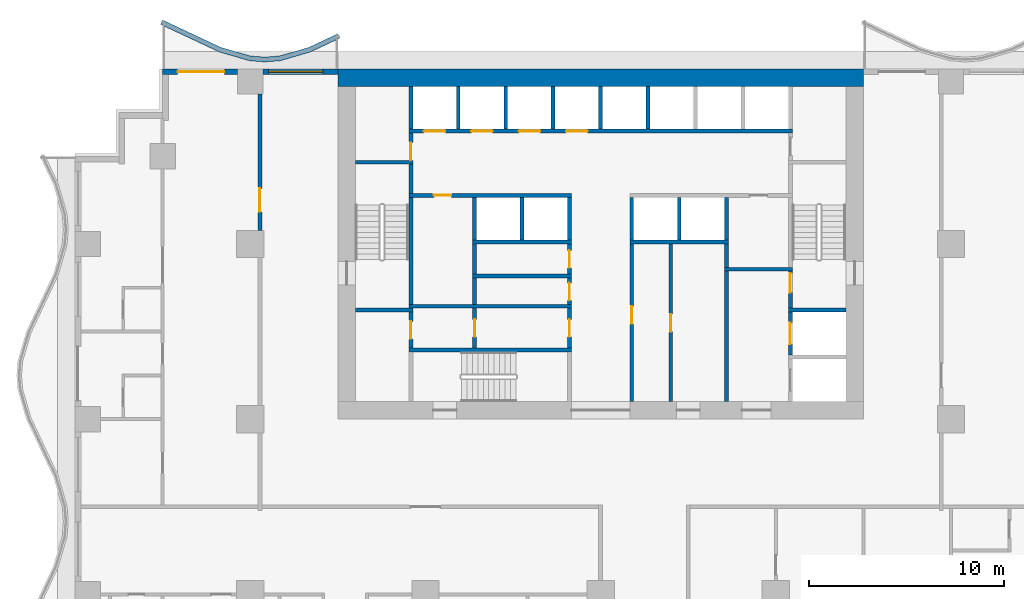
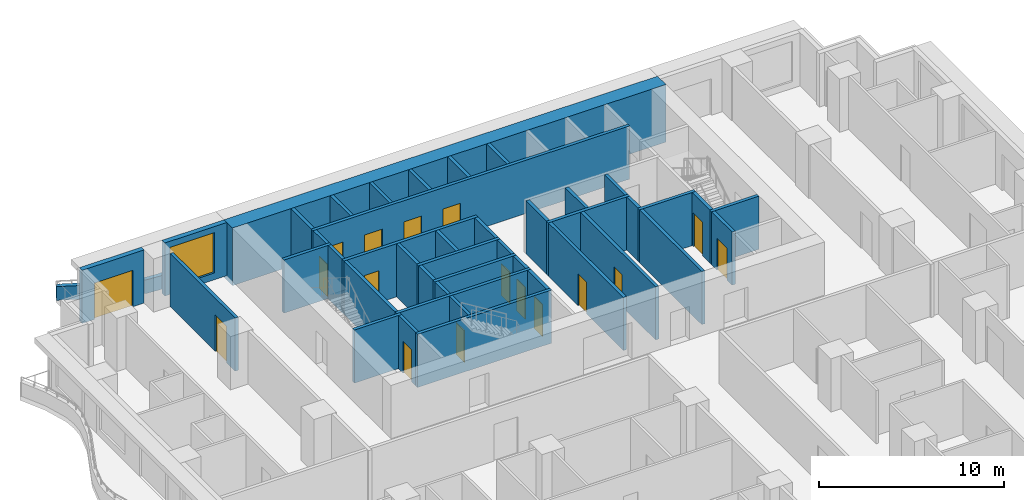
# One storey, part 5 of 13: 44 walls, 17 doors, 1 window, 18 openings.
"""IFC4 building model written with IfcOpenShell, lengths in metres."""

from ifc_helpers import new_model, si_unit, direction, frame, frame_2d, origin, place, context, subcontext, project, spatial, polyline, rectangle, outline, extrude, material, layer, layer_set, type_object, element, fill, save


model = new_model("IFC4")

# Units and contexts
model_context = context("Model", 3, precision=1e-05, world=origin(), true_north=direction((0.0, 1.0)))
body_context = subcontext(model_context, "Body", "Model", "MODEL_VIEW")
ifc_project = project(units=[si_unit("LENGTHUNIT", "METRE"), si_unit("AREAUNIT", "SQUARE_METRE"), si_unit("VOLUMEUNIT", "CUBIC_METRE"), si_unit("PLANEANGLEUNIT", "RADIAN"), si_unit("MASSUNIT", "GRAM", prefix="KILO")], contexts=[model_context])

# Site, building, storey
site_placement = place(None, origin())
site = spatial("IfcSite", under=ifc_project, at=site_placement, CompositionType="ELEMENT")
building_placement = place(site_placement, origin())
building = spatial("IfcBuilding", under=site, at=building_placement, Name="Orbiselva Terraces", CompositionType="ELEMENT")
storey_placement = place(building_placement, frame((0.0, 0.0, 92.2)))
storey = spatial("IfcBuildingStorey", under=building, at=storey_placement, Name="L23", CompositionType="ELEMENT", Elevation=92.2)

# Wall
ifc_material_1 = material(Name="Concrete C80/95", Category="concrete")
ifc_layer_1 = layer(ifc_material_1, 0.9)
ifc_layer_set_1 = layer_set([ifc_layer_1], Name="Concrete C80/95")
wall_type_1 = type_object("IfcWallType", Name="CORE WALL 900 EXTERNAL", PredefinedType="SHEAR", material=ifc_layer_set_1)
wall_1_placement = place(storey_placement, frame((13.5, 22.05, -0.3), z_axis=(0.0, 0.0, 1.0), x_axis=(-1.0, 0.0, 0.0)))
element("IfcWall", 1, at=wall_1_placement, inside=storey, type_object=wall_type_1, Name="Core wall L23 north", PredefinedType="SHEAR", context=body_context, shape_type="SweptSolid", body=[
    extrude(rectangle(XDim=27.0, YDim=0.9, at=frame_2d((13.5, 0.0))), origin(), (0.0, 0.0, 1.0), 3.8),
])

# Wall, opening, door
ifc_material_2 = material(Name="Masonry blockwork", Category="masonry")
ifc_layer_2 = layer(ifc_material_2, 0.2)
ifc_layer_set_2 = layer_set([ifc_layer_2], Name="Masonry blockwork")
wall_type_2 = type_object("IfcWallType", Name="CORE-WALL-PARTITION-200", PredefinedType="PARTITIONING", material=ifc_layer_set_2)
wall_2_placement = place(storey_placement, frame((-9.75, 8.15, 0.0), z_axis=(0.0, 0.0, 1.0), x_axis=(0.0, 1.0, 0.0)))
wall_2 = element("IfcWall", 2, at=wall_2_placement, inside=storey, type_object=wall_type_2, Name="L23 core wall 05", PredefinedType="PARTITIONING", context=body_context, shape_type="SweptSolid", body=[
    extrude(rectangle(XDim=1.85, YDim=0.2, at=frame_2d((0.925, 0.0))), origin(), (0.0, 0.0, 1.0), 3.5),
])
opening_1_placement = place(wall_2_placement, frame((0.475, 0.0, 0.0)))
opening_1 = element("IfcOpeningElement", 3, at=opening_1_placement, cuts=wall_2, Name="Opening DR900", PredefinedType="OPENING", context=body_context, shape_type="SweptSolid", body=[
    extrude(rectangle(XDim=0.9, YDim=2.1, at=frame_2d((0.45, 1.05))), frame((0.0, 0.11, 0.0), z_axis=(0.0, -1.0, 0.0), x_axis=(1.0, 0.0, 0.0)), (0.0, 0.0, 1.0), 0.22),
])
ifc_material_3 = material(Name="Steel fire door", Category="steel")
door_type_1 = type_object("IfcDoorType", Name="ROOM DOOR 900", OperationType="NOTDEFINED", PredefinedType="DOOR", material=ifc_material_3)
door_1_placement = place(opening_1_placement, origin())
door_1 = element("IfcDoor", 4, at=door_1_placement, inside=storey, type_object=door_type_1, Name="L23 ACCESSIBLE WC door", OperationType="SINGLE_SWING_RIGHT", OverallHeight=2.1, OverallWidth=0.9, PredefinedType="DOOR", context=body_context, shape_type="SweptSolid", body=[
    extrude(rectangle(XDim=0.9, YDim=2.1, at=frame_2d((0.45, 1.05))), frame((0.0, 0.025, 0.0), z_axis=(0.0, -1.0, 0.0), x_axis=(1.0, 0.0, 0.0)), (0.0, 0.0, 1.0), 0.05),
])
fill(opening_1, door_1)

wall_3_placement = place(storey_placement, frame((-9.75, 17.8, 0.0), z_axis=(0.0, 0.0, 1.0), x_axis=(0.0, 1.0, 0.0)))
wall_3 = element("IfcWall", 5, at=wall_3_placement, inside=storey, type_object=wall_type_2, Name="L23 core wall 10", PredefinedType="PARTITIONING", context=body_context, shape_type="SweptSolid", body=[
    extrude(rectangle(XDim=1.4, YDim=0.2, at=frame_2d((0.7, 0.0))), origin(), (0.0, 0.0, 1.0), 3.5),
])
opening_2_placement = place(wall_3_placement, origin())
opening_2 = element("IfcOpeningElement", 6, at=opening_2_placement, cuts=wall_3, Name="Opening DR900", PredefinedType="OPENING", context=body_context, shape_type="SweptSolid", body=[
    extrude(rectangle(XDim=0.9, YDim=2.1, at=frame_2d((0.45, 1.05))), frame((0.0, 0.11, 0.0), z_axis=(0.0, -1.0, 0.0), x_axis=(1.0, 0.0, 0.0)), (0.0, 0.0, 1.0), 0.22),
])
door_2_placement = place(opening_2_placement, origin())
door_2 = element("IfcDoor", 7, at=door_2_placement, inside=storey, type_object=door_type_1, Name="L23 COMMS RISER ROOM door", OperationType="SINGLE_SWING_LEFT", OverallHeight=2.1, OverallWidth=0.9, PredefinedType="DOOR", context=body_context, shape_type="SweptSolid", body=[
    extrude(rectangle(XDim=0.9, YDim=2.1, at=frame_2d((0.45, 1.05))), frame((0.0, 0.025, 0.0), z_axis=(0.0, -1.0, 0.0), x_axis=(1.0, 0.0, 0.0)), (0.0, 0.0, 1.0), 0.05),
])
fill(opening_2, door_2)

wall_4_placement = place(storey_placement, frame((-6.475, 8.15, 0.0), z_axis=(0.0, 0.0, 1.0), x_axis=(0.0, 1.0, 0.0)))
wall_4 = element("IfcWall", 8, at=wall_4_placement, inside=storey, type_object=wall_type_2, Name="L23 core wall 14", PredefinedType="PARTITIONING", context=body_context, shape_type="SweptSolid", body=[
    extrude(rectangle(XDim=2.05, YDim=0.2, at=frame_2d((1.025, 0.0))), origin(), (0.0, 0.0, 1.0), 3.5),
])
opening_3_placement = place(wall_4_placement, frame((0.575, 0.0, 0.0)))
opening_3 = element("IfcOpeningElement", 9, at=opening_3_placement, cuts=wall_4, Name="Opening DR900", PredefinedType="OPENING", context=body_context, shape_type="SweptSolid", body=[
    extrude(rectangle(XDim=0.9, YDim=2.1, at=frame_2d((0.45, 1.05))), frame((0.0, 0.11, 0.0), z_axis=(0.0, -1.0, 0.0), x_axis=(1.0, 0.0, 0.0)), (0.0, 0.0, 1.0), 0.22),
])
door_3_placement = place(opening_3_placement, origin())
door_3 = element("IfcDoor", 10, at=door_3_placement, inside=storey, type_object=door_type_1, Name="L23 CLEANERS STORE door", OperationType="SINGLE_SWING_RIGHT", OverallHeight=2.1, OverallWidth=0.9, PredefinedType="DOOR", context=body_context, shape_type="SweptSolid", body=[
    extrude(rectangle(XDim=0.9, YDim=2.1, at=frame_2d((0.45, 1.05))), frame((0.0, 0.025, 0.0), z_axis=(0.0, -1.0, 0.0), x_axis=(1.0, 0.0, 0.0)), (0.0, 0.0, 1.0), 0.05),
])
fill(opening_3, door_3)

# Walls
wall_5_placement = place(storey_placement, frame((-6.475, 10.4, 0.0), z_axis=(0.0, 0.0, 1.0), x_axis=(0.0, 1.0, 0.0)))
element("IfcWall", 11, at=wall_5_placement, inside=storey, type_object=wall_type_2, Name="L23 core wall 15", PredefinedType="PARTITIONING", context=body_context, shape_type="SweptSolid", body=[
    extrude(rectangle(XDim=1.35, YDim=0.2, at=frame_2d((0.675, 0.0))), origin(), (0.0, 0.0, 1.0), 3.5),
])
wall_6_placement = place(storey_placement, frame((-6.475, 11.95, 0.0), z_axis=(0.0, 0.0, 1.0), x_axis=(0.0, 1.0, 0.0)))
element("IfcWall", 12, at=wall_6_placement, inside=storey, type_object=wall_type_2, Name="L23 core wall 17", PredefinedType="PARTITIONING", context=body_context, shape_type="SweptSolid", body=[
    extrude(rectangle(XDim=1.55, YDim=0.2, at=frame_2d((0.775, 0.0))), origin(), (0.0, 0.0, 1.0), 3.5),
])

# Wall, opening, door
wall_7_placement = place(storey_placement, frame((-1.6, 8.15, 0.0), z_axis=(0.0, 0.0, 1.0), x_axis=(0.0, 1.0, 0.0)))
wall_7 = element("IfcWall", 13, at=wall_7_placement, inside=storey, type_object=wall_type_2, Name="L23 core wall 24", PredefinedType="PARTITIONING", context=body_context, shape_type="SweptSolid", body=[
    extrude(rectangle(XDim=2.05, YDim=0.2, at=frame_2d((1.025, 0.0))), origin(), (0.0, 0.0, 1.0), 3.5),
])
opening_4_placement = place(wall_7_placement, frame((0.575, 0.0, 0.0)))
opening_4 = element("IfcOpeningElement", 14, at=opening_4_placement, cuts=wall_7, Name="Opening DR900", PredefinedType="OPENING", context=body_context, shape_type="SweptSolid", body=[
    extrude(rectangle(XDim=0.9, YDim=2.1, at=frame_2d((0.45, 1.05))), frame((0.0, 0.11, 0.0), z_axis=(0.0, -1.0, 0.0), x_axis=(1.0, 0.0, 0.0)), (0.0, 0.0, 1.0), 0.22),
])
door_4_placement = place(opening_4_placement, origin())
door_4 = element("IfcDoor", 15, at=door_4_placement, inside=storey, type_object=door_type_1, Name="L23 COMMS ROOM door", OperationType="SINGLE_SWING_RIGHT", OverallHeight=2.1, OverallWidth=0.9, PredefinedType="DOOR", context=body_context, shape_type="SweptSolid", body=[
    extrude(rectangle(XDim=0.9, YDim=2.1, at=frame_2d((0.45, 1.05))), frame((0.0, 0.025, 0.0), z_axis=(0.0, -1.0, 0.0), x_axis=(1.0, 0.0, 0.0)), (0.0, 0.0, 1.0), 0.05),
])
fill(opening_4, door_4)

wall_8_placement = place(storey_placement, frame((-1.6, 10.4, 0.0), z_axis=(0.0, 0.0, 1.0), x_axis=(0.0, 1.0, 0.0)))
wall_8 = element("IfcWall", 16, at=wall_8_placement, inside=storey, type_object=wall_type_2, Name="L23 core wall 25", PredefinedType="PARTITIONING", context=body_context, shape_type="SweptSolid", body=[
    extrude(rectangle(XDim=1.35, YDim=0.2, at=frame_2d((0.675, 0.0))), origin(), (0.0, 0.0, 1.0), 3.5),
])
opening_5_placement = place(wall_8_placement, frame((0.2, 0.0, 0.0)))
opening_5 = element("IfcOpeningElement", 17, at=opening_5_placement, cuts=wall_8, Name="Opening DR900", PredefinedType="OPENING", context=body_context, shape_type="SweptSolid", body=[
    extrude(rectangle(XDim=0.9, YDim=2.1, at=frame_2d((0.45, 1.05))), frame((0.0, 0.11, 0.0), z_axis=(0.0, -1.0, 0.0), x_axis=(1.0, 0.0, 0.0)), (0.0, 0.0, 1.0), 0.22),
])
door_5_placement = place(opening_5_placement, origin())
door_5 = element("IfcDoor", 18, at=door_5_placement, inside=storey, type_object=door_type_1, Name="L23 BUILDING STORE door", OperationType="SINGLE_SWING_LEFT", OverallHeight=2.1, OverallWidth=0.9, PredefinedType="DOOR", context=body_context, shape_type="SweptSolid", body=[
    extrude(rectangle(XDim=0.9, YDim=2.1, at=frame_2d((0.45, 1.05))), frame((0.0, 0.025, 0.0), z_axis=(0.0, -1.0, 0.0), x_axis=(1.0, 0.0, 0.0)), (0.0, 0.0, 1.0), 0.05),
])
fill(opening_5, door_5)

wall_9_placement = place(storey_placement, frame((-1.6, 11.95, 0.0), z_axis=(0.0, 0.0, 1.0), x_axis=(0.0, 1.0, 0.0)))
wall_9 = element("IfcWall", 19, at=wall_9_placement, inside=storey, type_object=wall_type_2, Name="L23 core wall 26", PredefinedType="PARTITIONING", context=body_context, shape_type="SweptSolid", body=[
    extrude(rectangle(XDim=1.55, YDim=0.2, at=frame_2d((0.775, 0.0))), origin(), (0.0, 0.0, 1.0), 3.5),
])
opening_6_placement = place(wall_9_placement, frame((0.325, 0.0, 0.0)))
opening_6 = element("IfcOpeningElement", 20, at=opening_6_placement, cuts=wall_9, Name="Opening DR900", PredefinedType="OPENING", context=body_context, shape_type="SweptSolid", body=[
    extrude(rectangle(XDim=0.9, YDim=2.1, at=frame_2d((0.45, 1.05))), frame((0.0, 0.11, 0.0), z_axis=(0.0, -1.0, 0.0), x_axis=(1.0, 0.0, 0.0)), (0.0, 0.0, 1.0), 0.22),
])
door_6_placement = place(opening_6_placement, origin())
door_6 = element("IfcDoor", 21, at=door_6_placement, inside=storey, type_object=door_type_1, Name="L23 LINEN STORE door", OperationType="SINGLE_SWING_LEFT", OverallHeight=2.1, OverallWidth=0.9, PredefinedType="DOOR", context=body_context, shape_type="SweptSolid", body=[
    extrude(rectangle(XDim=0.9, YDim=2.1, at=frame_2d((0.45, 1.05))), frame((0.0, 0.025, 0.0), z_axis=(0.0, -1.0, 0.0), x_axis=(1.0, 0.0, 0.0)), (0.0, 0.0, 1.0), 0.05),
])
fill(opening_6, door_6)

wall_10_placement = place(storey_placement, frame((3.6, 13.5, 0.0), z_axis=(0.0, 0.0, 1.0), x_axis=(0.0, -1.0, 0.0)))
wall_10 = element("IfcWall", 22, at=wall_10_placement, inside=storey, type_object=wall_type_2, Name="L23 core wall 34", PredefinedType="PARTITIONING", context=body_context, shape_type="SweptSolid", body=[
    extrude(rectangle(XDim=8.1, YDim=0.2, at=frame_2d((4.05, 0.0))), origin(), (0.0, 0.0, 1.0), 3.5),
])
opening_7_placement = place(wall_10_placement, frame((3.6, 0.0, 0.0)))
opening_7 = element("IfcOpeningElement", 23, at=opening_7_placement, cuts=wall_10, Name="Opening DR900", PredefinedType="OPENING", context=body_context, shape_type="SweptSolid", body=[
    extrude(rectangle(XDim=0.9, YDim=2.1, at=frame_2d((0.45, 1.05))), frame((0.0, 0.11, 0.0), z_axis=(0.0, -1.0, 0.0), x_axis=(1.0, 0.0, 0.0)), (0.0, 0.0, 1.0), 0.22),
])
door_7_placement = place(opening_7_placement, origin())
door_7 = element("IfcDoor", 24, at=door_7_placement, inside=storey, type_object=door_type_1, Name="L23 SERVICE ROOM door", OperationType="SINGLE_SWING_RIGHT", OverallHeight=2.1, OverallWidth=0.9, PredefinedType="DOOR", context=body_context, shape_type="SweptSolid", body=[
    extrude(rectangle(XDim=0.9, YDim=2.1, at=frame_2d((0.45, 1.05))), frame((0.0, 0.025, 0.0), z_axis=(0.0, -1.0, 0.0), x_axis=(1.0, 0.0, 0.0)), (0.0, 0.0, 1.0), 0.05),
])
fill(opening_7, door_7)

# Walls
wall_11_placement = place(storey_placement, frame((6.475, 12.3, 0.0), z_axis=(0.0, 0.0, 1.0), x_axis=(0.0, 1.0, 0.0)))
element("IfcWall", 25, at=wall_11_placement, inside=storey, type_object=wall_type_2, Name="L23 core wall 39", PredefinedType="PARTITIONING", context=body_context, shape_type="SweptSolid", body=[
    extrude(rectangle(XDim=1.2, YDim=0.2, at=frame_2d((0.6, 0.0))), origin(), (0.0, 0.0, 1.0), 3.5),
])
ifc_material_4 = material(Name="Concrete C40/50", Category="concrete")
ifc_layer_3 = layer(ifc_material_4, 0.2)
ifc_layer_set_3 = layer_set([ifc_layer_3], Name="Concrete C40/50")
wall_type_3 = type_object("IfcWallType", Name="CORE-WALL-SHAFT-200", PredefinedType="PARTITIONING", material=ifc_layer_set_3)
for number, where, z_axis, x_axis, name in (
    (26, (-9.75, 19.4, 0.0), (0.0, 0.0, 1.0), (0.0, 1.0, 0.0), "L23 core wall 12"),
    (27, (-7.3125, 19.4, 0.0), (0.0, 0.0, 1.0), (0.0, 1.0, 0.0), "L23 core wall 13"),
    (28, (-6.475, 13.7, 0.0), (0.0, 0.0, 1.0), (0.0, 1.0, 0.0), "L23 core wall 19"),
    (29, (-4.875, 19.4, 0.0), (0.0, 0.0, 1.0), (0.0, 1.0, 0.0), "L23 core wall 20"),
    (30, (-4.0375, 13.7, 0.0), (0.0, 0.0, 1.0), (0.0, 1.0, 0.0), "L23 core wall 21"),
    (31, (-2.4375, 19.4, 0.0), (0.0, 0.0, 1.0), (0.0, 1.0, 0.0), "L23 core wall 22"),
    (32, (-1.6, 13.7, 0.0), (0.0, 0.0, 1.0), (0.0, 1.0, 0.0), "L23 core wall 27"),
    (33, (0.0, 19.4, 0.0), (0.0, 0.0, 1.0), (0.0, 1.0, 0.0), "L23 core wall 28"),
    (34, (1.6, 13.7, 0.0), (0.0, 0.0, 1.0), (0.0, 1.0, 0.0), "L23 core wall 31"),
    (35, (2.4375, 19.4, 0.0), (0.0, 0.0, 1.0), (0.0, 1.0, 0.0), "L23 core wall 33"),
    (36, (4.0375, 13.7, 0.0), (0.0, 0.0, 1.0), (0.0, 1.0, 0.0), "L23 core wall 35"),
    (37, (6.475, 13.7, 0.0), (0.0, 0.0, 1.0), (0.0, 1.0, 0.0), "L23 core wall 40"),
):
    element("IfcWall", number, at=place(storey_placement, frame(where, z_axis=z_axis, x_axis=x_axis)), inside=storey, type_object=wall_type_3, Name=name, PredefinedType="PARTITIONING", context=body_context, shape_type="SweptSolid", body=[
        extrude(rectangle(XDim=2.2, YDim=0.2, at=frame_2d((1.1, 0.0))), origin(), (0.0, 0.0, 1.0), 3.5),
    ])
ifc_material_5 = material(Name="Concrete C60/75", Category="concrete")
ifc_layer_4 = layer(ifc_material_5, 0.2)
ifc_layer_set_4 = layer_set([ifc_layer_4], Name="Concrete C60/75")
wall_type_4 = type_object("IfcWallType", Name="CORE-WALL-SHEAR-200", PredefinedType="SHEAR", material=ifc_layer_set_4)
for number, where, z_axis, x_axis, name in (
    (38, (-12.6, 10.1, 0.0), (0.0, 0.0, 1.0), (1.0, 0.0, 0.0), "L23 core wall 01"),
    (39, (-12.6, 17.7, 0.0), (0.0, 0.0, 1.0), (1.0, 0.0, 0.0), "L23 core wall 02"),
):
    element("IfcWall", number, at=place(storey_placement, frame(where, z_axis=z_axis, x_axis=x_axis)), inside=storey, type_object=wall_type_4, Name=name, PredefinedType="SHEAR", context=body_context, shape_type="SweptSolid", body=[
        extrude(rectangle(XDim=2.95, YDim=0.2, at=frame_2d((1.475, 0.0))), origin(), (0.0, 0.0, 1.0), 3.5),
    ])
for number, where, z_axis, x_axis, name in (
    (40, (-9.85, 8.05, 0.0), (0.0, 0.0, 1.0), (1.0, 0.0, 0.0), "L23 core wall 04"),
    (41, (-9.85, 10.3, 0.0), (0.0, 0.0, 1.0), (1.0, 0.0, 0.0), "L23 core wall 06"),
):
    element("IfcWall", number, at=place(storey_placement, frame(where, z_axis=z_axis, x_axis=x_axis)), inside=storey, type_object=wall_type_4, Name=name, PredefinedType="SHEAR", context=body_context, shape_type="SweptSolid", body=[
        extrude(rectangle(XDim=8.35, YDim=0.2, at=frame_2d((4.175, 0.0))), origin(), (0.0, 0.0, 1.0), 3.5),
    ])
wall_12_placement = place(storey_placement, frame((-9.75, 10.4, 0.0), z_axis=(0.0, 0.0, 1.0), x_axis=(0.0, 1.0, 0.0)))
element("IfcWall", 42, at=wall_12_placement, inside=storey, type_object=wall_type_4, Name="L23 core wall 07", PredefinedType="SHEAR", context=body_context, shape_type="SweptSolid", body=[
    extrude(rectangle(XDim=5.5, YDim=0.2, at=frame_2d((2.75, 0.0))), origin(), (0.0, 0.0, 1.0), 3.5),
])

# Wall, opening, door
wall_13_placement = place(storey_placement, frame((-1.5, 16.0, 0.0), z_axis=(0.0, 0.0, 1.0), x_axis=(-1.0, 0.0, 0.0)))
wall_13 = element("IfcWall", 43, at=wall_13_placement, inside=storey, type_object=wall_type_4, Name="L23 core wall 08", PredefinedType="SHEAR", context=body_context, shape_type="SweptSolid", body=[
    extrude(rectangle(XDim=8.35, YDim=0.2, at=frame_2d((4.175, 0.0))), origin(), (0.0, 0.0, 1.0), 3.5),
])
opening_8_placement = place(wall_13_placement, frame((6.1625, 0.0, 0.0)))
opening_8 = element("IfcOpeningElement", 44, at=opening_8_placement, cuts=wall_13, Name="Opening DR900", PredefinedType="OPENING", context=body_context, shape_type="SweptSolid", body=[
    extrude(rectangle(XDim=0.9, YDim=2.1, at=frame_2d((0.45, 1.05))), frame((0.0, 0.11, 0.0), z_axis=(0.0, -1.0, 0.0), x_axis=(1.0, 0.0, 0.0)), (0.0, 0.0, 1.0), 0.22),
])
door_8_placement = place(opening_8_placement, origin())
door_8 = element("IfcDoor", 45, at=door_8_placement, inside=storey, type_object=door_type_1, Name="L23 GUEST PANTRY door", OperationType="SINGLE_SWING_RIGHT", OverallHeight=2.1, OverallWidth=0.9, PredefinedType="DOOR", context=body_context, shape_type="SweptSolid", body=[
    extrude(rectangle(XDim=0.9, YDim=2.1, at=frame_2d((0.45, 1.05))), frame((0.0, 0.025, 0.0), z_axis=(0.0, -1.0, 0.0), x_axis=(1.0, 0.0, 0.0)), (0.0, 0.0, 1.0), 0.05),
])
fill(opening_8, door_8)

# Wall
wall_14_placement = place(storey_placement, frame((-9.75, 16.1, 0.0), z_axis=(0.0, 0.0, 1.0), x_axis=(0.0, 1.0, 0.0)))
element("IfcWall", 46, at=wall_14_placement, inside=storey, type_object=wall_type_4, Name="L23 core wall 09", PredefinedType="SHEAR", context=body_context, shape_type="SweptSolid", body=[
    extrude(rectangle(XDim=1.5, YDim=0.2, at=frame_2d((0.75, 0.0))), origin(), (0.0, 0.0, 1.0), 3.5),
])

# Wall, openings, doors
wall_15_placement = place(storey_placement, frame((-9.85, 19.3, 0.0), z_axis=(0.0, 0.0, 1.0), x_axis=(1.0, 0.0, 0.0)))
wall_15 = element("IfcWall", 47, at=wall_15_placement, inside=storey, type_object=wall_type_4, Name="L23 core wall 11", PredefinedType="SHEAR", context=body_context, shape_type="SweptSolid", body=[
    extrude(rectangle(XDim=19.7, YDim=0.2, at=frame_2d((9.85, 0.0))), origin(), (0.0, 0.0, 1.0), 3.5),
])
opening_9_placement = place(wall_15_placement, frame((0.76875, 0.0, 0.0)))
opening_9 = element("IfcOpeningElement", 48, at=opening_9_placement, cuts=wall_15, Name="Opening LD-LR1", PredefinedType="OPENING", context=body_context, shape_type="SweptSolid", body=[
    extrude(rectangle(XDim=1.1, YDim=2.1, at=frame_2d((0.55, 1.05))), frame((0.0, 0.11, 0.0), z_axis=(0.0, -1.0, 0.0), x_axis=(1.0, 0.0, 0.0)), (0.0, 0.0, 1.0), 0.22),
])
opening_10_placement = place(wall_15_placement, frame((3.20625, 0.0, 0.0)))
opening_10 = element("IfcOpeningElement", 49, at=opening_10_placement, cuts=wall_15, Name="Opening LD-LR2", PredefinedType="OPENING", context=body_context, shape_type="SweptSolid", body=[
    extrude(rectangle(XDim=1.1, YDim=2.1, at=frame_2d((0.55, 1.05))), frame((0.0, 0.11, 0.0), z_axis=(0.0, -1.0, 0.0), x_axis=(1.0, 0.0, 0.0)), (0.0, 0.0, 1.0), 0.22),
])
opening_11_placement = place(wall_15_placement, frame((5.64375, 0.0, 0.0)))
opening_11 = element("IfcOpeningElement", 50, at=opening_11_placement, cuts=wall_15, Name="Opening LD-LR3", PredefinedType="OPENING", context=body_context, shape_type="SweptSolid", body=[
    extrude(rectangle(XDim=1.1, YDim=2.1, at=frame_2d((0.55, 1.05))), frame((0.0, 0.11, 0.0), z_axis=(0.0, -1.0, 0.0), x_axis=(1.0, 0.0, 0.0)), (0.0, 0.0, 1.0), 0.22),
])
opening_12_placement = place(wall_15_placement, frame((8.08125, 0.0, 0.0)))
opening_12 = element("IfcOpeningElement", 51, at=opening_12_placement, cuts=wall_15, Name="Opening LD-LR4", PredefinedType="OPENING", context=body_context, shape_type="SweptSolid", body=[
    extrude(rectangle(XDim=1.1, YDim=2.1, at=frame_2d((0.55, 1.05))), frame((0.0, 0.11, 0.0), z_axis=(0.0, -1.0, 0.0), x_axis=(1.0, 0.0, 0.0)), (0.0, 0.0, 1.0), 0.22),
])
ifc_material_6 = material(Name="Stainless steel landing door", Category="steel")
door_type_2 = type_object("IfcDoorType", Name="LANDING DOOR 1100", OperationType="SLIDING_TO_LEFT", PredefinedType="DOOR", material=ifc_material_6)
door_9_placement = place(opening_9_placement, origin())
door_9 = element("IfcDoor", 52, at=door_9_placement, inside=storey, type_object=door_type_2, Name="L23 landing door LR1", OperationType="SLIDING_TO_LEFT", OverallHeight=2.1, OverallWidth=1.1, PredefinedType="DOOR", context=body_context, shape_type="SweptSolid", body=[
    extrude(rectangle(XDim=1.1, YDim=2.1, at=frame_2d((0.55, 1.05))), frame((0.0, 0.025, 0.0), z_axis=(0.0, -1.0, 0.0), x_axis=(1.0, 0.0, 0.0)), (0.0, 0.0, 1.0), 0.05),
])
fill(opening_9, door_9)
door_10_placement = place(opening_10_placement, origin())
door_10 = element("IfcDoor", 53, at=door_10_placement, inside=storey, type_object=door_type_2, Name="L23 landing door LR2", OperationType="SLIDING_TO_LEFT", OverallHeight=2.1, OverallWidth=1.1, PredefinedType="DOOR", context=body_context, shape_type="SweptSolid", body=[
    extrude(rectangle(XDim=1.1, YDim=2.1, at=frame_2d((0.55, 1.05))), frame((0.0, 0.025, 0.0), z_axis=(0.0, -1.0, 0.0), x_axis=(1.0, 0.0, 0.0)), (0.0, 0.0, 1.0), 0.05),
])
fill(opening_10, door_10)
door_11_placement = place(opening_11_placement, origin())
door_11 = element("IfcDoor", 54, at=door_11_placement, inside=storey, type_object=door_type_2, Name="L23 landing door LR3", OperationType="SLIDING_TO_LEFT", OverallHeight=2.1, OverallWidth=1.1, PredefinedType="DOOR", context=body_context, shape_type="SweptSolid", body=[
    extrude(rectangle(XDim=1.1, YDim=2.1, at=frame_2d((0.55, 1.05))), frame((0.0, 0.025, 0.0), z_axis=(0.0, -1.0, 0.0), x_axis=(1.0, 0.0, 0.0)), (0.0, 0.0, 1.0), 0.05),
])
fill(opening_11, door_11)
door_12_placement = place(opening_12_placement, origin())
door_12 = element("IfcDoor", 55, at=door_12_placement, inside=storey, type_object=door_type_2, Name="L23 landing door LR4", OperationType="SLIDING_TO_LEFT", OverallHeight=2.1, OverallWidth=1.1, PredefinedType="DOOR", context=body_context, shape_type="SweptSolid", body=[
    extrude(rectangle(XDim=1.1, YDim=2.1, at=frame_2d((0.55, 1.05))), frame((0.0, 0.025, 0.0), z_axis=(0.0, -1.0, 0.0), x_axis=(1.0, 0.0, 0.0)), (0.0, 0.0, 1.0), 0.05),
])
fill(opening_12, door_12)

# Walls
for number, where, z_axis, x_axis, name in (
    (56, (-6.575, 11.85, 0.0), (0.0, 0.0, 1.0), (1.0, 0.0, 0.0), "L23 core wall 16"),
    (57, (-6.575, 13.6, 0.0), (0.0, 0.0, 1.0), (1.0, 0.0, 0.0), "L23 core wall 18"),
):
    element("IfcWall", number, at=place(storey_placement, frame(where, z_axis=z_axis, x_axis=x_axis)), inside=storey, type_object=wall_type_4, Name=name, PredefinedType="SHEAR", context=body_context, shape_type="SweptSolid", body=[
        extrude(rectangle(XDim=5.075, YDim=0.2, at=frame_2d((2.5375, 0.0))), origin(), (0.0, 0.0, 1.0), 3.5),
    ])

# Wall, opening, door
wall_16_placement = place(storey_placement, frame((1.6, 13.5, 0.0), z_axis=(0.0, 0.0, 1.0), x_axis=(0.0, -1.0, 0.0)))
wall_16 = element("IfcWall", 58, at=wall_16_placement, inside=storey, type_object=wall_type_4, Name="L23 core wall 29", PredefinedType="SHEAR", context=body_context, shape_type="SweptSolid", body=[
    extrude(rectangle(XDim=8.1, YDim=0.2, at=frame_2d((4.05, 0.0))), origin(), (0.0, 0.0, 1.0), 3.5),
])
opening_13_placement = place(wall_16_placement, frame((3.2, 0.0, 0.0)))
opening_13 = element("IfcOpeningElement", 59, at=opening_13_placement, cuts=wall_16, Name="Opening DR900", PredefinedType="OPENING", context=body_context, shape_type="SweptSolid", body=[
    extrude(rectangle(XDim=0.9, YDim=2.1, at=frame_2d((0.45, 1.05))), frame((0.0, 0.11, 0.0), z_axis=(0.0, -1.0, 0.0), x_axis=(1.0, 0.0, 0.0)), (0.0, 0.0, 1.0), 0.22),
])
door_13_placement = place(opening_13_placement, origin())
door_13 = element("IfcDoor", 60, at=door_13_placement, inside=storey, type_object=door_type_1, Name="L23 COMMS ROOM door", OperationType="SINGLE_SWING_LEFT", OverallHeight=2.1, OverallWidth=0.9, PredefinedType="DOOR", context=body_context, shape_type="SweptSolid", body=[
    extrude(rectangle(XDim=0.9, YDim=2.1, at=frame_2d((0.45, 1.05))), frame((0.0, 0.025, 0.0), z_axis=(0.0, -1.0, 0.0), x_axis=(1.0, 0.0, 0.0)), (0.0, 0.0, 1.0), 0.05),
])
fill(opening_13, door_13)

# Walls
wall_17_placement = place(storey_placement, frame((1.5, 13.6, 0.0), z_axis=(0.0, 0.0, 1.0), x_axis=(1.0, 0.0, 0.0)))
element("IfcWall", 61, at=wall_17_placement, inside=storey, type_object=wall_type_4, Name="L23 core wall 30", PredefinedType="SHEAR", context=body_context, shape_type="SweptSolid", body=[
    extrude(rectangle(XDim=5.075, YDim=0.2, at=frame_2d((2.5375, 0.0))), origin(), (0.0, 0.0, 1.0), 3.5),
])
wall_18_placement = place(storey_placement, frame((6.475, 5.4, 0.0), z_axis=(0.0, 0.0, 1.0), x_axis=(0.0, 1.0, 0.0)))
element("IfcWall", 62, at=wall_18_placement, inside=storey, type_object=wall_type_4, Name="L23 core wall 37", PredefinedType="SHEAR", context=body_context, shape_type="SweptSolid", body=[
    extrude(rectangle(XDim=6.7, YDim=0.2, at=frame_2d((3.35, 0.0))), origin(), (0.0, 0.0, 1.0), 3.5),
])
wall_19_placement = place(storey_placement, frame((6.375, 12.2, 0.0), z_axis=(0.0, 0.0, 1.0), x_axis=(1.0, 0.0, 0.0)))
element("IfcWall", 63, at=wall_19_placement, inside=storey, type_object=wall_type_4, Name="L23 core wall 38", PredefinedType="SHEAR", context=body_context, shape_type="SweptSolid", body=[
    extrude(rectangle(XDim=3.475, YDim=0.2, at=frame_2d((1.7375, 0.0))), origin(), (0.0, 0.0, 1.0), 3.5),
])

# Wall, opening, door
wall_20_placement = place(storey_placement, frame((9.75, 7.8, 0.0), z_axis=(0.0, 0.0, 1.0), x_axis=(0.0, 1.0, 0.0)))
wall_20 = element("IfcWall", 64, at=wall_20_placement, inside=storey, type_object=wall_type_4, Name="L23 core wall 44", PredefinedType="SHEAR", context=body_context, shape_type="SweptSolid", body=[
    extrude(rectangle(XDim=2.2, YDim=0.2, at=frame_2d((1.1, 0.0))), origin(), (0.0, 0.0, 1.0), 3.5),
])
opening_14_placement = place(wall_20_placement, frame((0.55, 0.0, 0.0)))
opening_14 = element("IfcOpeningElement", 65, at=opening_14_placement, cuts=wall_20, Name="Opening LD-FF2", PredefinedType="OPENING", context=body_context, shape_type="SweptSolid", body=[
    extrude(rectangle(XDim=1.1, YDim=2.1, at=frame_2d((0.55, 1.05))), frame((0.0, 0.11, 0.0), z_axis=(0.0, -1.0, 0.0), x_axis=(1.0, 0.0, 0.0)), (0.0, 0.0, 1.0), 0.22),
])
door_14_placement = place(opening_14_placement, origin())
door_14 = element("IfcDoor", 66, at=door_14_placement, inside=storey, type_object=door_type_2, Name="L23 landing door FF2", OperationType="SLIDING_TO_RIGHT", OverallHeight=2.1, OverallWidth=1.1, PredefinedType="DOOR", context=body_context, shape_type="SweptSolid", body=[
    extrude(rectangle(XDim=1.1, YDim=2.1, at=frame_2d((0.55, 1.05))), frame((0.0, 0.025, 0.0), z_axis=(0.0, -1.0, 0.0), x_axis=(1.0, 0.0, 0.0)), (0.0, 0.0, 1.0), 0.05),
])
fill(opening_14, door_14)

# Wall
wall_21_placement = place(storey_placement, frame((9.65, 10.1, 0.0), z_axis=(0.0, 0.0, 1.0), x_axis=(1.0, 0.0, 0.0)))
element("IfcWall", 67, at=wall_21_placement, inside=storey, type_object=wall_type_4, Name="L23 core wall 45", PredefinedType="SHEAR", context=body_context, shape_type="SweptSolid", body=[
    extrude(rectangle(XDim=2.95, YDim=0.2, at=frame_2d((1.475, 0.0))), origin(), (0.0, 0.0, 1.0), 3.5),
])

# Wall, opening, door
wall_22_placement = place(storey_placement, frame((9.75, 12.1, 0.0), z_axis=(0.0, 0.0, 1.0), x_axis=(0.0, -1.0, 0.0)))
wall_22 = element("IfcWall", 68, at=wall_22_placement, inside=storey, type_object=wall_type_4, Name="L23 core wall 46", PredefinedType="SHEAR", context=body_context, shape_type="SweptSolid", body=[
    extrude(rectangle(XDim=1.9, YDim=0.2, at=frame_2d((0.95, 0.0))), origin(), (0.0, 0.0, 1.0), 3.5),
])
opening_15_placement = place(wall_22_placement, frame((0.1, 0.0, 0.0)))
opening_15 = element("IfcOpeningElement", 69, at=opening_15_placement, cuts=wall_22, Name="Opening DS1000", PredefinedType="OPENING", context=body_context, shape_type="SweptSolid", body=[
    extrude(rectangle(XDim=1.0, YDim=2.2, at=frame_2d((0.5, 1.1))), frame((0.0, 0.11, 0.0), z_axis=(0.0, -1.0, 0.0), x_axis=(1.0, 0.0, 0.0)), (0.0, 0.0, 1.0), 0.22),
])
door_type_3 = type_object("IfcDoorType", Name="STAIR DOOR 1000", OperationType="NOTDEFINED", PredefinedType="DOOR", material=ifc_material_3)
door_15_placement = place(opening_15_placement, origin())
door_15 = element("IfcDoor", 70, at=door_15_placement, inside=storey, type_object=door_type_3, Name="L23 FIRE-FIGHTING LOBBY TO EXIT STAIR S2 door", OperationType="SINGLE_SWING_LEFT", OverallHeight=2.2, OverallWidth=1.0, PredefinedType="DOOR", context=body_context, shape_type="SweptSolid", body=[
    extrude(rectangle(XDim=1.0, YDim=2.2, at=frame_2d((0.5, 1.1))), frame((0.0, 0.025, 0.0), z_axis=(0.0, -1.0, 0.0), x_axis=(1.0, 0.0, 0.0)), (0.0, 0.0, 1.0), 0.05),
])
fill(opening_15, door_15)

# Wall
ifc_layer_5 = layer(ifc_material_4, 0.25)
ifc_layer_set_5 = layer_set([ifc_layer_5], Name="Concrete C40/50")
wall_type_5 = type_object("IfcWallType", Name="ENV-PLANTER-250x900", PredefinedType="USERDEFINED", material=ifc_layer_set_5)
wall_23_placement = place(storey_placement, origin())
element("IfcWall", 71, at=wall_23_placement, inside=storey, type_object=wall_type_5, Name="Balcony planter L23 NW", ObjectType="PLANTER", PredefinedType="USERDEFINED", context=body_context, shape_type="SweptSolid", body=[
    extrude(outline(polyline([(-13.5, 24.3), (-15.0, 23.594658), (-16.5, 23.158732), (-17.25, 23.1), (-18.0, 23.158732), (-19.5, 23.594658), (-21.0, 24.3), (-22.5, 25.005342), (-22.606383, 24.779106), (-21.106383, 24.073764), (-19.588618, 23.360069), (-18.045114, 22.911499), (-17.25, 22.849235), (-16.454886, 22.911499), (-14.911382, 23.360069), (-13.393617, 24.073764), (-13.5, 24.3)])), origin(), (0.0, 0.0, 1.0), 0.9),
])

# Wall, opening, window
ifc_material_7 = material(Name="Terracotta cladding on masonry backing", Category="masonry")
ifc_layer_6 = layer(ifc_material_7, 0.3)
ifc_layer_set_6 = layer_set([ifc_layer_6], Name="Terracotta cladding on masonry backing")
wall_type_6 = type_object("IfcWallType", Name="ENV-WALL-TERRACOTTA-300", PredefinedType="SOLIDWALL", material=ifc_layer_set_6)
wall_24_placement = place(storey_placement, frame((-17.35, 22.35, 0.0), z_axis=(0.0, 0.0, 1.0), x_axis=(1.0, 0.0, 0.0)))
wall_24 = element("IfcWall", 72, at=wall_24_placement, inside=storey, type_object=wall_type_6, Name="Facade wall L23 NW", PredefinedType="SOLIDWALL", context=body_context, shape_type="SweptSolid", body=[
    extrude(rectangle(XDim=3.85, YDim=0.3, at=frame_2d((1.925, 0.0))), origin(), (0.0, 0.0, 1.0), 3.5),
])
opening_16_placement = place(wall_24_placement, frame((0.3, 0.0, 0.45)))
opening_16 = element("IfcOpeningElement", 73, at=opening_16_placement, cuts=wall_24, Name="Opening WN6", PredefinedType="OPENING", context=body_context, shape_type="SweptSolid", body=[
    extrude(rectangle(XDim=2.775, YDim=2.65, at=frame_2d((1.3875, 1.325))), frame((0.0, 0.16, 0.0), z_axis=(0.0, -1.0, 0.0), x_axis=(1.0, 0.0, 0.0)), (0.0, 0.0, 1.0), 0.32),
])
ifc_material_8 = material(Name="Clear low-e glazing in aluminium frame", Category="aluminium")
window_type = type_object("IfcWindowType", Name="WINDOW 2775 X 2650 S450", PartitioningType="TRIPLE_PANEL_VERTICAL", PredefinedType="WINDOW", material=ifc_material_8)
window_placement = place(opening_16_placement, origin())
window = element("IfcWindow", 74, at=window_placement, inside=storey, type_object=window_type, Name="Window L23 NW", OverallHeight=2.65, OverallWidth=2.775, PartitioningType="SINGLE_PANEL", PredefinedType="WINDOW", context=body_context, shape_type="SweptSolid", body=[
    extrude(rectangle(XDim=2.775, YDim=2.65, at=frame_2d((1.3875, 1.325))), frame((0.0, 0.03, 0.0), z_axis=(0.0, -1.0, 0.0), x_axis=(1.0, 0.0, 0.0)), (0.0, 0.0, 1.0), 0.06),
])
fill(opening_16, window)

# Wall, opening, door
wall_25_placement = place(storey_placement, frame((-22.5, 22.35, 0.0), z_axis=(0.0, 0.0, 1.0), x_axis=(1.0, 0.0, 0.0)))
wall_25 = element("IfcWall", 75, at=wall_25_placement, inside=storey, type_object=wall_type_6, Name="Facade wall L23 NW", PredefinedType="SOLIDWALL", context=body_context, shape_type="SweptSolid", body=[
    extrude(rectangle(XDim=3.85, YDim=0.3, at=frame_2d((1.925, 0.0))), origin(), (0.0, 0.0, 1.0), 3.5),
])
opening_17_placement = place(wall_25_placement, frame((0.775, 0.0, 0.0)))
opening_17 = element("IfcOpeningElement", 76, at=opening_17_placement, cuts=wall_25, Name="Opening Z2-C-E07", PredefinedType="OPENING", context=body_context, shape_type="SweptSolid", body=[
    extrude(rectangle(XDim=2.4, YDim=2.4, at=frame_2d((1.2, 1.2))), frame((0.0, 0.16, 0.0), z_axis=(0.0, -1.0, 0.0), x_axis=(1.0, 0.0, 0.0)), (0.0, 0.0, 1.0), 0.32),
])
door_type_4 = type_object("IfcDoorType", Name="BALCONY DOOR 2400 X 2400", OperationType="DOUBLE_DOOR_SLIDING", PredefinedType="DOOR", material=ifc_material_8)
door_16_placement = place(opening_17_placement, origin())
door_16 = element("IfcDoor", 77, at=door_16_placement, inside=storey, type_object=door_type_4, Name="Z2-C-E07", OperationType="SINGLE_SWING_LEFT", OverallHeight=2.4, OverallWidth=2.4, PredefinedType="DOOR", context=body_context, shape_type="SweptSolid", body=[
    extrude(rectangle(XDim=2.4, YDim=2.4, at=frame_2d((1.2, 1.2))), frame((0.0, 0.025, 0.0), z_axis=(0.0, -1.0, 0.0), x_axis=(1.0, 0.0, 0.0)), (0.0, 0.0, 1.0), 0.05),
])
fill(opening_17, door_16)

ifc_material_9 = material(Name="Plasterboard on steel stud partition", Category="steel")
ifc_layer_7 = layer(ifc_material_9, 0.2)
ifc_layer_set_7 = layer_set([ifc_layer_7], Name="Plasterboard on steel stud partition")
wall_type_7 = type_object("IfcWallType", Name="UNIT-ENTRANCE-WALL-200", PredefinedType="PARTITIONING", material=ifc_layer_set_7)
wall_26_placement = place(storey_placement, frame((-17.5, 14.2, 0.0), z_axis=(0.0, 0.0, 1.0), x_axis=(0.0, 1.0, 0.0)))
wall_26 = element("IfcWall", 78, at=wall_26_placement, inside=storey, type_object=wall_type_7, Name="PARTITION L23-046", PredefinedType="PARTITIONING", context=body_context, shape_type="SweptSolid", body=[
    extrude(rectangle(XDim=7.0, YDim=0.2, at=frame_2d((3.5, 0.0))), origin(), (0.0, 0.0, 1.0), 3.5),
])
opening_18_placement = place(wall_26_placement, frame((0.95, 0.0, 0.0)))
opening_18 = element("IfcOpeningElement", 79, at=opening_18_placement, cuts=wall_26, Name="Opening Z2-C-01", PredefinedType="OPENING", context=body_context, shape_type="SweptSolid", body=[
    extrude(rectangle(XDim=1.2, YDim=2.4, at=frame_2d((0.6, 1.2))), frame((0.0, 0.11, 0.0), z_axis=(0.0, -1.0, 0.0), x_axis=(1.0, 0.0, 0.0)), (0.0, 0.0, 1.0), 0.22),
])
ifc_material_10 = material(Name="Painted timber door leaf", Category="wood")
door_type_5 = type_object("IfcDoorType", Name="ENTRANCE DOOR 1200", OperationType="NOTDEFINED", PredefinedType="DOOR", material=ifc_material_10)
door_17_placement = place(opening_18_placement, origin())
door_17 = element("IfcDoor", 80, at=door_17_placement, inside=storey, type_object=door_type_5, Name="Z2-C-01", OperationType="SINGLE_SWING_LEFT", OverallHeight=2.4, OverallWidth=1.2, PredefinedType="DOOR", context=body_context, shape_type="SweptSolid", body=[
    extrude(rectangle(XDim=1.2, YDim=2.4, at=frame_2d((0.6, 1.2))), frame((0.0, 0.025, 0.0), z_axis=(0.0, -1.0, 0.0), x_axis=(1.0, 0.0, 0.0)), (0.0, 0.0, 1.0), 0.05),
])
fill(opening_18, door_17)

save(model, "model.ifc")
